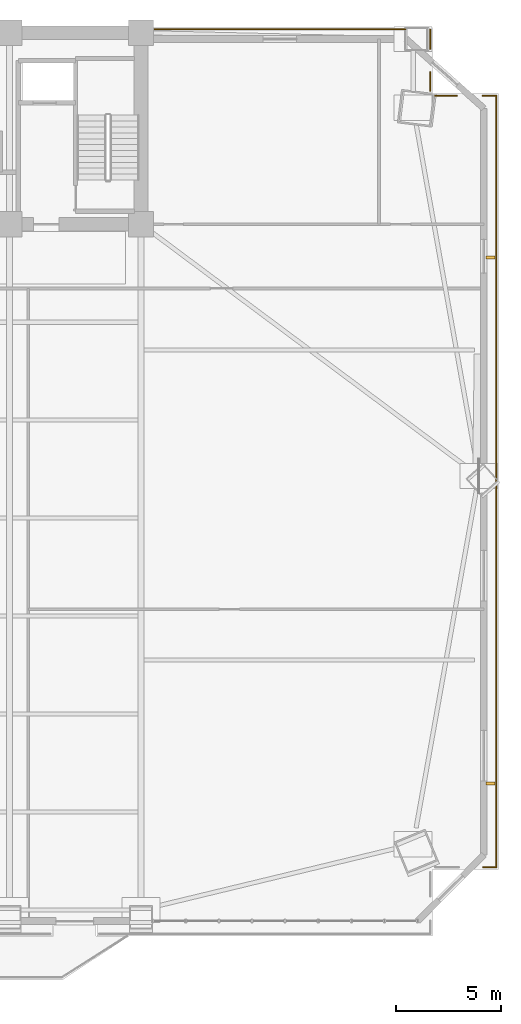
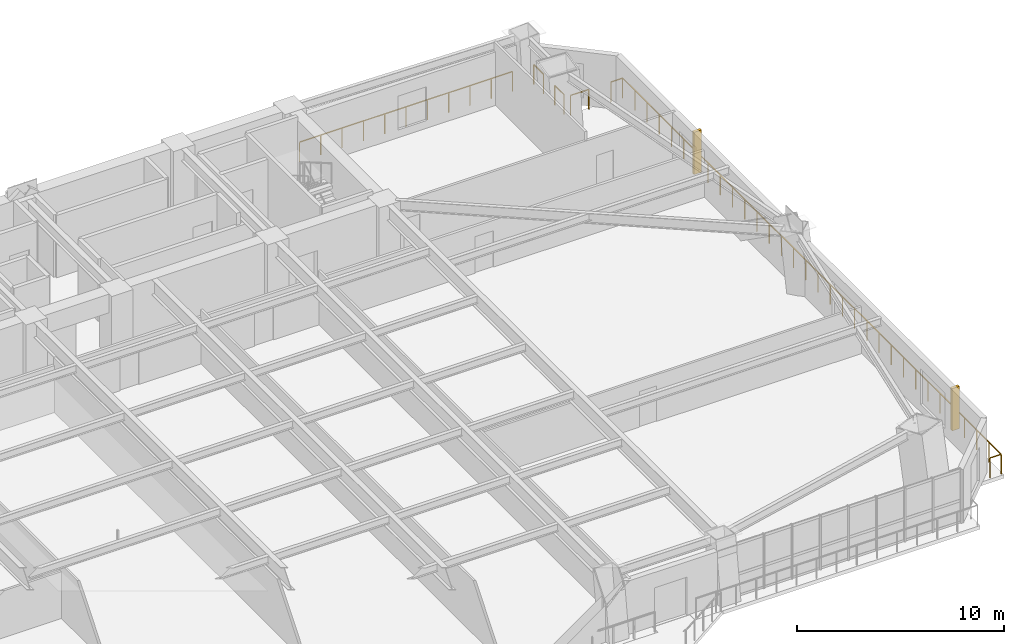
# One storey, part 17 of 17: 7 railings, 2 shading devices.
"""IFC4 building model written with IfcOpenShell, lengths in metres."""

from ifc_helpers import new_model, si_unit, direction, frame, origin, origin_2d, place, context, subcontext, project, spatial, rectangle, extrude, source, transform, mapped, material, type_object, element, save


model = new_model("IFC4")

# Units and contexts
model_context = context("Model", 3, precision=1e-05, world=origin(), true_north=direction((0.0, 1.0)))
body_context = subcontext(model_context, "Body", "Model", "MODEL_VIEW")
ifc_project = project(units=[si_unit("LENGTHUNIT", "METRE"), si_unit("AREAUNIT", "SQUARE_METRE"), si_unit("VOLUMEUNIT", "CUBIC_METRE"), si_unit("PLANEANGLEUNIT", "RADIAN"), si_unit("MASSUNIT", "GRAM", prefix="KILO")], contexts=[model_context])

# Site, building, storey
site_placement = place(None, origin())
site = spatial("IfcSite", under=ifc_project, at=site_placement, CompositionType="ELEMENT")
building_placement = place(site_placement, origin())
building = spatial("IfcBuilding", under=site, at=building_placement, Name="Giltprow Tower", CompositionType="ELEMENT")
storey_placement = place(building_placement, frame((0.0, 0.0, 57.199951171875)))
storey = spatial("IfcBuildingStorey", under=building, at=storey_placement, Name="L14", CompositionType="ELEMENT", Elevation=57.199951171875)

# Railings
ifc_material = material(Name="Anodized bronze", Category="metal")
railing_type = type_object("IfcRailingType", Name="RAIL-BALC-GUARD-1200", PredefinedType="BALUSTRADE", material=ifc_material)
railing_1_placement = place(storey_placement, frame((51.18505859375, 46.699951171875, 0.0)))
element("IfcRailing", 1, at=railing_1_placement, inside=storey, type_object=railing_type, Name="L14 Corner Apron Edge Balustrade 11", PredefinedType="BALUSTRADE", context=body_context, shape_type="SweptSolid", body=[
    extrude(rectangle(XDim=0.048095703125, YDim=0.048095703125, at=origin_2d()), frame((0.0, 0.0, 1.17578125), z_axis=(1.0, 0.0, 0.0), x_axis=(0.0, 1.0, 0.0)), (0.0, 0.0, 1.0), 11.911865234375),
    extrude(rectangle(XDim=0.0419921875, YDim=0.0419921875, at=origin_2d()), origin(), (0.0, 0.0, 1.0), 1.15185546875),
    extrude(rectangle(XDim=0.0419921875, YDim=0.0419921875, at=origin_2d()), frame((1.191162109375, 0.0, 0.0)), (0.0, 0.0, 1.0), 1.15185546875),
    extrude(rectangle(XDim=0.0419921875, YDim=0.0419921875, at=origin_2d()), frame((2.38232421875, 0.0, 0.0)), (0.0, 0.0, 1.0), 1.15185546875),
    extrude(rectangle(XDim=0.0419921875, YDim=0.0419921875, at=origin_2d()), frame((3.573486328125, 0.0, 0.0)), (0.0, 0.0, 1.0), 1.15185546875),
    extrude(rectangle(XDim=0.0419921875, YDim=0.0419921875, at=origin_2d()), frame((4.7646484375, 0.0, 0.0)), (0.0, 0.0, 1.0), 1.15185546875),
    extrude(rectangle(XDim=0.0419921875, YDim=0.0419921875, at=origin_2d()), frame((5.9560546875, 0.0, 0.0)), (0.0, 0.0, 1.0), 1.15185546875),
    extrude(rectangle(XDim=0.0419921875, YDim=0.0419921875, at=origin_2d()), frame((7.147216796875, 0.0, 0.0)), (0.0, 0.0, 1.0), 1.15185546875),
    extrude(rectangle(XDim=0.0419921875, YDim=0.0419921875, at=origin_2d()), frame((8.33837890625, 0.0, 0.0)), (0.0, 0.0, 1.0), 1.15185546875),
    extrude(rectangle(XDim=0.0419921875, YDim=0.0419921875, at=origin_2d()), frame((9.529541015625, 0.0, 0.0)), (0.0, 0.0, 1.0), 1.15185546875),
    extrude(rectangle(XDim=0.0419921875, YDim=0.0419921875, at=origin_2d()), frame((10.720703125, 0.0, 0.0)), (0.0, 0.0, 1.0), 1.15185546875),
    extrude(rectangle(XDim=0.0419921875, YDim=0.0419921875, at=origin_2d()), frame((11.911865234375, 0.0, 0.0)), (0.0, 0.0, 1.0), 1.15185546875),
])
railing_2_placement = place(storey_placement, frame((64.281982421875, 46.699951171875, 0.0)))
element("IfcRailing", 2, at=railing_2_placement, inside=storey, type_object=railing_type, Name="L14 Corner Apron Edge Balustrade 12", PredefinedType="BALUSTRADE", context=body_context, shape_type="SweptSolid", body=[
    extrude(rectangle(XDim=0.048095703125, YDim=0.048095703125, at=origin_2d()), frame((0.0, 0.0, 1.17578125), z_axis=(0.0, -1.0, 0.0), x_axis=(1.0, 0.0, 0.0)), (0.0, 0.0, 1.0), 0.926025390625),
    extrude(rectangle(XDim=0.0419921875, YDim=0.0419921875, at=origin_2d()), origin(), (0.0, 0.0, 1.0), 1.15185546875),
    extrude(rectangle(XDim=0.0419921875, YDim=0.0419921875, at=origin_2d()), frame((0.0, -0.926025390625, 0.0)), (0.0, 0.0, 1.0), 1.15185546875),
])
railing_3_placement = place(storey_placement, frame((64.281982421875, 44.675048828125, 0.0)))
element("IfcRailing", 3, at=railing_3_placement, inside=storey, type_object=railing_type, Name="L14 Corner Apron Edge Balustrade 13", PredefinedType="BALUSTRADE", context=body_context, shape_type="SweptSolid", body=[
    extrude(rectangle(XDim=0.048095703125, YDim=0.048095703125, at=origin_2d()), frame((0.0, 0.0, 1.17578125), z_axis=(0.0, -1.0, 0.0), x_axis=(1.0, 0.0, 0.0)), (0.0, 0.0, 1.0), 0.887939453125),
    extrude(rectangle(XDim=0.0419921875, YDim=0.0419921875, at=origin_2d()), origin(), (0.0, 0.0, 1.0), 1.15185546875),
    extrude(rectangle(XDim=0.0419921875, YDim=0.0419921875, at=origin_2d()), frame((0.0, -0.887939453125, 0.0)), (0.0, 0.0, 1.0), 1.15185546875),
])
railing_4_placement = place(storey_placement, frame((64.51708984375, 43.552001953125, 0.0)))
element("IfcRailing", 4, at=railing_4_placement, inside=storey, type_object=railing_type, Name="L14 Corner Apron Edge Balustrade 14", PredefinedType="BALUSTRADE", context=body_context, shape_type="SweptSolid", body=[
    extrude(rectangle(XDim=0.048095703125, YDim=0.048095703125, at=origin_2d()), frame((0.0, 0.0, 1.17578125), z_axis=(1.0, 0.0, 0.0), x_axis=(0.0, 1.0, 0.0)), (0.0, 0.0, 1.0), 1.02392578125),
    extrude(rectangle(XDim=0.0419921875, YDim=0.0419921875, at=origin_2d()), origin(), (0.0, 0.0, 1.0), 1.15185546875),
    extrude(rectangle(XDim=0.0419921875, YDim=0.0419921875, at=origin_2d()), frame((1.02392578125, 0.0, 0.0)), (0.0, 0.0, 1.0), 1.15185546875),
])
railing_5_placement = place(storey_placement, frame((66.77294921875, 43.552001953125, 0.0)))
element("IfcRailing", 5, at=railing_5_placement, inside=storey, type_object=railing_type, Name="L14 Corner Apron Edge Balustrade 15", PredefinedType="BALUSTRADE", context=body_context, shape_type="SweptSolid", body=[
    extrude(rectangle(XDim=0.048095703125, YDim=0.048095703125, at=origin_2d()), frame((0.0, 0.0, 1.17578125), z_axis=(1.0, 0.0, 0.0), x_axis=(0.0, 1.0, 0.0)), (0.0, 0.0, 1.0), 0.656982421875),
    extrude(rectangle(XDim=0.0419921875, YDim=0.0419921875, at=origin_2d()), origin(), (0.0, 0.0, 1.0), 1.15185546875),
    extrude(rectangle(XDim=0.0419921875, YDim=0.0419921875, at=origin_2d()), frame((0.656982421875, 0.0, 0.0)), (0.0, 0.0, 1.0), 1.15185546875),
])
railing_6_placement = place(storey_placement, frame((67.429931640625, 43.552001953125, 0.0)))
element("IfcRailing", 6, at=railing_6_placement, inside=storey, type_object=railing_type, Name="L14 Corner Apron Edge Balustrade 16", PredefinedType="BALUSTRADE", context=body_context, shape_type="SweptSolid", body=[
    extrude(rectangle(XDim=0.048095703125, YDim=0.048095703125, at=origin_2d()), frame((0.0, 0.0, 1.17578125), z_axis=(0.0, -1.0, 0.0), x_axis=(1.0, 0.0, 0.0)), (0.0, 0.0, 1.0), 36.64990234375),
    extrude(rectangle(XDim=0.0419921875, YDim=0.0419921875, at=origin_2d()), origin(), (0.0, 0.0, 1.0), 1.15185546875),
    extrude(rectangle(XDim=0.0419921875, YDim=0.0419921875, at=origin_2d()), frame((0.0, -1.182373046875, 0.0)), (0.0, 0.0, 1.0), 1.15185546875),
    extrude(rectangle(XDim=0.0419921875, YDim=0.0419921875, at=origin_2d()), frame((0.0, -2.364501953125, 0.0)), (0.0, 0.0, 1.0), 1.15185546875),
    extrude(rectangle(XDim=0.0419921875, YDim=0.0419921875, at=origin_2d()), frame((0.0, -3.546875, 0.0)), (0.0, 0.0, 1.0), 1.15185546875),
    extrude(rectangle(XDim=0.0419921875, YDim=0.0419921875, at=origin_2d()), frame((0.0, -4.72900390625, 0.0)), (0.0, 0.0, 1.0), 1.15185546875),
    extrude(rectangle(XDim=0.0419921875, YDim=0.0419921875, at=origin_2d()), frame((0.0, -5.911376953125, 0.0)), (0.0, 0.0, 1.0), 1.15185546875),
    extrude(rectangle(XDim=0.0419921875, YDim=0.0419921875, at=origin_2d()), frame((0.0, -7.093505859375, 0.0)), (0.0, 0.0, 1.0), 1.15185546875),
    extrude(rectangle(XDim=0.0419921875, YDim=0.0419921875, at=origin_2d()), frame((0.0, -8.27587890625, 0.0)), (0.0, 0.0, 1.0), 1.15185546875),
    extrude(rectangle(XDim=0.0419921875, YDim=0.0419921875, at=origin_2d()), frame((0.0, -9.4580078125, 0.0)), (0.0, 0.0, 1.0), 1.15185546875),
    extrude(rectangle(XDim=0.0419921875, YDim=0.0419921875, at=origin_2d()), frame((0.0, -10.640380859375, 0.0)), (0.0, 0.0, 1.0), 1.15185546875),
    extrude(rectangle(XDim=0.0419921875, YDim=0.0419921875, at=origin_2d()), frame((0.0, -11.822509765625, 0.0)), (0.0, 0.0, 1.0), 1.15185546875),
    extrude(rectangle(XDim=0.0419921875, YDim=0.0419921875, at=origin_2d()), frame((0.0, -13.0048828125, 0.0)), (0.0, 0.0, 1.0), 1.15185546875),
    extrude(rectangle(XDim=0.0419921875, YDim=0.0419921875, at=origin_2d()), frame((0.0, -14.18701171875, 0.0)), (0.0, 0.0, 1.0), 1.15185546875),
    extrude(rectangle(XDim=0.0419921875, YDim=0.0419921875, at=origin_2d()), frame((0.0, -15.369384765625, 0.0)), (0.0, 0.0, 1.0), 1.15185546875),
    extrude(rectangle(XDim=0.0419921875, YDim=0.0419921875, at=origin_2d()), frame((0.0, -16.551513671875, 0.0)), (0.0, 0.0, 1.0), 1.15185546875),
    extrude(rectangle(XDim=0.0419921875, YDim=0.0419921875, at=origin_2d()), frame((0.0, -17.73388671875, 0.0)), (0.0, 0.0, 1.0), 1.15185546875),
    extrude(rectangle(XDim=0.0419921875, YDim=0.0419921875, at=origin_2d()), frame((0.0, -18.916015625, 0.0)), (0.0, 0.0, 1.0), 1.15185546875),
    extrude(rectangle(XDim=0.0419921875, YDim=0.0419921875, at=origin_2d()), frame((0.0, -20.098388671875, 0.0)), (0.0, 0.0, 1.0), 1.15185546875),
    extrude(rectangle(XDim=0.0419921875, YDim=0.0419921875, at=origin_2d()), frame((0.0, -21.280517578125, 0.0)), (0.0, 0.0, 1.0), 1.15185546875),
    extrude(rectangle(XDim=0.0419921875, YDim=0.0419921875, at=origin_2d()), frame((0.0, -22.462890625, 0.0)), (0.0, 0.0, 1.0), 1.15185546875),
    extrude(rectangle(XDim=0.0419921875, YDim=0.0419921875, at=origin_2d()), frame((0.0, -23.64501953125, 0.0)), (0.0, 0.0, 1.0), 1.15185546875),
    extrude(rectangle(XDim=0.0419921875, YDim=0.0419921875, at=origin_2d()), frame((0.0, -24.827392578125, 0.0)), (0.0, 0.0, 1.0), 1.15185546875),
    extrude(rectangle(XDim=0.0419921875, YDim=0.0419921875, at=origin_2d()), frame((0.0, -26.009521484375, 0.0)), (0.0, 0.0, 1.0), 1.15185546875),
    extrude(rectangle(XDim=0.0419921875, YDim=0.0419921875, at=origin_2d()), frame((0.0, -27.19189453125, 0.0)), (0.0, 0.0, 1.0), 1.15185546875),
    extrude(rectangle(XDim=0.0419921875, YDim=0.0419921875, at=origin_2d()), frame((0.0, -28.3740234375, 0.0)), (0.0, 0.0, 1.0), 1.15185546875),
    extrude(rectangle(XDim=0.0419921875, YDim=0.0419921875, at=origin_2d()), frame((0.0, -29.556396484375, 0.0)), (0.0, 0.0, 1.0), 1.15185546875),
    extrude(rectangle(XDim=0.0419921875, YDim=0.0419921875, at=origin_2d()), frame((0.0, -30.738525390625, 0.0)), (0.0, 0.0, 1.0), 1.15185546875),
    extrude(rectangle(XDim=0.0419921875, YDim=0.0419921875, at=origin_2d()), frame((0.0, -31.9208984375, 0.0)), (0.0, 0.0, 1.0), 1.15185546875),
    extrude(rectangle(XDim=0.0419921875, YDim=0.0419921875, at=origin_2d()), frame((0.0, -33.10302734375, 0.0)), (0.0, 0.0, 1.0), 1.15185546875),
    extrude(rectangle(XDim=0.0419921875, YDim=0.0419921875, at=origin_2d()), frame((0.0, -34.285400390625, 0.0)), (0.0, 0.0, 1.0), 1.15185546875),
    extrude(rectangle(XDim=0.0419921875, YDim=0.0419921875, at=origin_2d()), frame((0.0, -35.467529296875, 0.0)), (0.0, 0.0, 1.0), 1.15185546875),
    extrude(rectangle(XDim=0.0419921875, YDim=0.0419921875, at=origin_2d()), frame((0.0, -36.64990234375, 0.0)), (0.0, 0.0, 1.0), 1.15185546875),
])
railing_7_placement = place(storey_placement, frame((67.429931640625, 6.902099609375, 0.0)))
element("IfcRailing", 7, at=railing_7_placement, inside=storey, type_object=railing_type, Name="L14 Corner Apron Edge Balustrade 17", PredefinedType="BALUSTRADE", context=body_context, shape_type="SweptSolid", body=[
    extrude(rectangle(XDim=0.048095703125, YDim=0.048095703125, at=origin_2d()), frame((0.0, 0.0, 1.17578125), z_axis=(-1.0, 0.0, 0.0), x_axis=(0.0, -1.0, 0.0)), (0.0, 0.0, 1.0), 0.619873046875),
    extrude(rectangle(XDim=0.0419921875, YDim=0.0419921875, at=origin_2d()), origin(), (0.0, 0.0, 1.0), 1.15185546875),
    extrude(rectangle(XDim=0.0419921875, YDim=0.0419921875, at=origin_2d()), frame((-0.619873046875, 0.0, 0.0)), (0.0, 0.0, 1.0), 1.15185546875),
])

# Shading devices
shading_device_type = type_object("IfcShadingDeviceType", Name="SHD-FIN-420", PredefinedType="USERDEFINED", material=ifc_material)
shared_shape = source(origin(), body_context, "Body", "SweptSolid", [
    extrude(rectangle(XDim=0.419921875, YDim=0.159912109375, at=origin_2d()), origin(), (0.0, 0.0, 1.0), 2.5),
])
for number, where, z_axis, x_axis, name in (
    (8, (67.14990234375, 10.887939453125, 0.35009765625), (0.0, 0.0, 1.0), (1.0, 0.0, 0.0), "L14 E Bronze Vertical Fin 1-1"),
    (9, (67.14990234375, 35.868896484375, 0.35009765625), (0.0, 0.0, 1.0), (1.0, 0.0, 0.0), "L14 E Bronze Vertical Fin 2-1"),
):
    element("IfcShadingDevice", number, at=place(storey_placement, frame(where, z_axis=z_axis, x_axis=x_axis)), inside=storey, type_object=shading_device_type, Name=name, ObjectType="FIN", PredefinedType="USERDEFINED", context=body_context, shape_type="MappedRepresentation", body=[
        mapped(shared_shape, transform((0.0, 0.0, 0.0), x_axis=(1.0, 0.0, 0.0), y_axis=(0.0, 1.0, 0.0), z_axis=(0.0, 0.0, 1.0), scale=1.0)),
    ])

save(model, "model.ifc")
